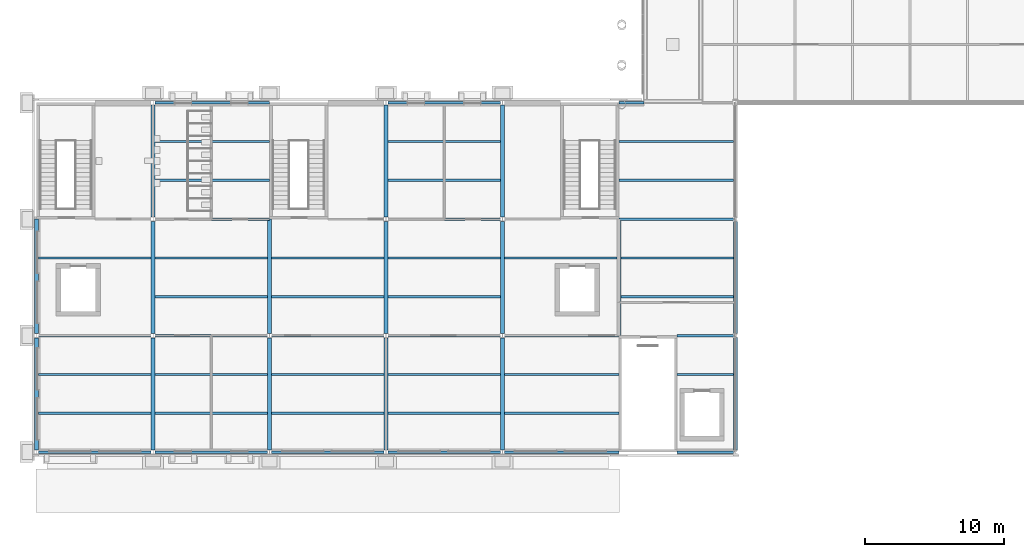
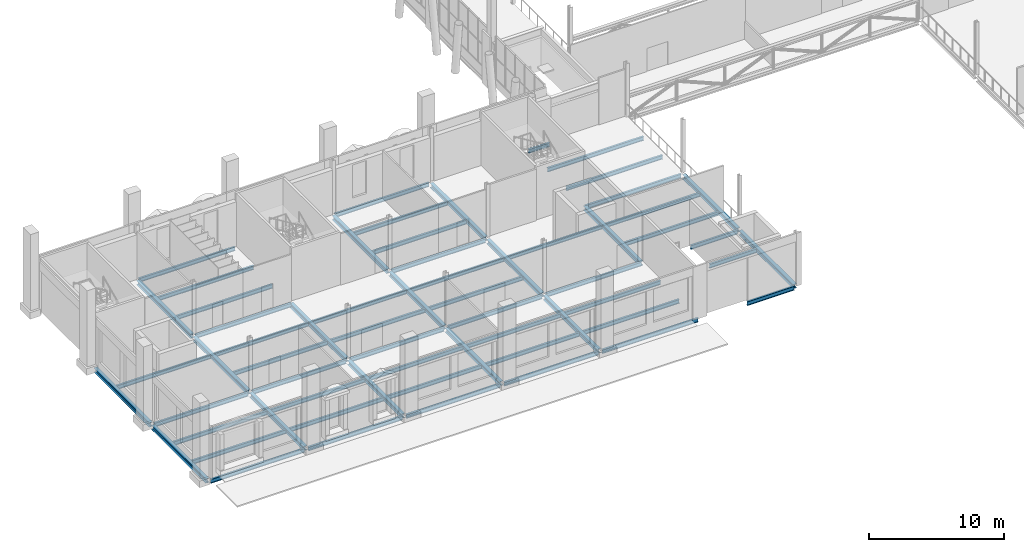
# One storey, part 11 of 76: 61 beams.
"""IFC4 building model written with IfcOpenShell, lengths in metres."""

from ifc_helpers import new_model, si_unit, direction, frame, origin, origin_2d, place, context, subcontext, project, spatial, i_section, extrude, material, material_profile, profile_set, type_object, element, save


model = new_model("IFC4")

# Units and contexts
model_context = context("Model", 3, precision=1e-05, world=origin(), true_north=direction((0.0, 1.0)))
body_context = subcontext(model_context, "Body", "Model", "MODEL_VIEW")
ifc_project = project(units=[si_unit("LENGTHUNIT", "METRE"), si_unit("AREAUNIT", "SQUARE_METRE"), si_unit("VOLUMEUNIT", "CUBIC_METRE"), si_unit("PLANEANGLEUNIT", "RADIAN"), si_unit("MASSUNIT", "GRAM", prefix="KILO")], contexts=[model_context])

# Site, building, storey
site_placement = place(None, origin())
site = spatial("IfcSite", under=ifc_project, at=site_placement, CompositionType="ELEMENT")
building_placement = place(site_placement, origin())
building = spatial("IfcBuilding", under=site, at=building_placement, Name="Sava Quay Ferry Terminal", CompositionType="ELEMENT")
storey_placement = place(building_placement, frame((0.0, 0.0, 6.0)))
storey = spatial("IfcBuildingStorey", under=building, at=storey_placement, Name="L01", CompositionType="ELEMENT", Elevation=6.0)

# Beams
ifc_material_1 = material(Name="Steel S355", Category="steel")
ifc_material_profile_1 = material_profile(ifc_material_1, i_section(OverallWidth=0.169921875, OverallDepth=0.360107421875, WebThickness=0.008056640625, FlangeThickness=0.0126953125, at=origin_2d()), Name="IPE 360")
ifc_profile_set_1 = profile_set([ifc_material_profile_1], Name="Steel S355")
beam_type_1 = type_object("IfcBeamType", Name="Beam IPE 360", PredefinedType="BEAM", material=ifc_profile_set_1)
for number, where, z_axis, x_axis, name in (
    (1, (46.199951171875, 25.199951171875, -0.31005859375), (1.0, 0.0, 0.0), (0.0, 1.0, 0.0), "Beam L01"),
    (2, (46.199951171875, 33.60009765625, -0.31005859375), (1.0, 0.0, 0.0), (0.0, 1.0, 0.0), "Beam L01"),
):
    element("IfcBeam", number, at=place(storey_placement, frame(where, z_axis=z_axis, x_axis=x_axis)), inside=storey, type_object=beam_type_1, Name=name, PredefinedType="BEAM", context=body_context, shape_type="SweptSolid", body=[
        extrude(i_section(OverallWidth=0.169921875, OverallDepth=0.360107421875, WebThickness=0.008056640625, FlangeThickness=0.0126953125, at=origin_2d()), origin(), (0.0, 0.0, 1.0), 4.050048828125),
    ])
beam_1_placement = place(storey_placement, frame((42.0, 42.0, -0.31005859375), z_axis=(1.0, 0.0, 0.0), x_axis=(0.0, 1.0, 0.0)))
element("IfcBeam", 3, at=beam_1_placement, inside=storey, type_object=beam_type_1, Name="Beam L01", PredefinedType="BEAM", context=body_context, shape_type="SweptSolid", body=[
    extrude(i_section(OverallWidth=0.169921875, OverallDepth=0.360107421875, WebThickness=0.008056640625, FlangeThickness=0.0126953125, at=origin_2d()), origin(), (0.0, 0.0, 1.0), 8.25),
])
beam_2_placement = place(storey_placement, frame((42.0, 50.39990234375, -0.31005859375), z_axis=(1.0, 0.0, 0.0), x_axis=(0.0, 1.0, 0.0)))
element("IfcBeam", 4, at=beam_2_placement, inside=storey, type_object=beam_type_1, Name="Beam L01", PredefinedType="BEAM", context=body_context, shape_type="SweptSolid", body=[
    extrude(i_section(OverallWidth=0.169921875, OverallDepth=0.360107421875, WebThickness=0.008056640625, FlangeThickness=0.0126953125, at=origin_2d()), origin(), (0.0, 0.0, 1.0), 1.800048828125),
])
beam_3_placement = place(storey_placement, frame((46.199951171875, 30.800048828125, -0.31005859375), z_axis=(1.0, 0.0, 0.0), x_axis=(0.0, 1.0, 0.0)))
element("IfcBeam", 5, at=beam_3_placement, inside=storey, type_object=beam_type_1, Name="Secondary beam L01", PredefinedType="BEAM", context=body_context, shape_type="SweptSolid", body=[
    extrude(i_section(OverallWidth=0.169921875, OverallDepth=0.360107421875, WebThickness=0.008056640625, FlangeThickness=0.0126953125, at=origin_2d()), origin(), (0.0, 0.0, 1.0), 4.050048828125),
])
for number, where, z_axis, x_axis, name in (
    (6, (42.14990234375, 36.39990234375, -0.31005859375), (1.0, 0.0, 0.0), (0.0, 1.0, 0.0), "Secondary beam L01"),
    (7, (42.14990234375, 39.199951171875, -0.31005859375), (1.0, 0.0, 0.0), (0.0, 1.0, 0.0), "Secondary beam L01"),
):
    element("IfcBeam", number, at=place(storey_placement, frame(where, z_axis=z_axis, x_axis=x_axis)), inside=storey, type_object=beam_type_1, Name=name, PredefinedType="BEAM", context=body_context, shape_type="SweptSolid", body=[
        extrude(i_section(OverallWidth=0.169921875, OverallDepth=0.360107421875, WebThickness=0.008056640625, FlangeThickness=0.0126953125, at=origin_2d()), origin(), (0.0, 0.0, 1.0), 8.10009765625),
    ])
for number, where, z_axis, x_axis, name in (
    (8, (42.0, 44.800048828125, -0.31005859375), (1.0, 0.0, 0.0), (0.0, 1.0, 0.0), "Secondary beam L01"),
    (9, (42.0, 47.60009765625, -0.31005859375), (1.0, 0.0, 0.0), (0.0, 1.0, 0.0), "Secondary beam L01"),
):
    element("IfcBeam", number, at=place(storey_placement, frame(where, z_axis=z_axis, x_axis=x_axis)), inside=storey, type_object=beam_type_1, Name=name, PredefinedType="BEAM", context=body_context, shape_type="SweptSolid", body=[
        extrude(i_section(OverallWidth=0.169921875, OverallDepth=0.360107421875, WebThickness=0.008056640625, FlangeThickness=0.0126953125, at=origin_2d()), origin(), (0.0, 0.0, 1.0), 8.25),
    ])
beam_4_placement = place(storey_placement, frame((0.14990234375, 25.199951171875, -0.31005859375), z_axis=(1.0, 0.0, 0.0), x_axis=(0.0, 1.0, 0.0)))
element("IfcBeam", 10, at=beam_4_placement, inside=storey, type_object=beam_type_1, Name="Beam L01", PredefinedType="BEAM", context=body_context, shape_type="SweptSolid", body=[
    extrude(i_section(OverallWidth=0.169921875, OverallDepth=0.360107421875, WebThickness=0.008056640625, FlangeThickness=0.0126953125, at=origin_2d()), origin(), (0.0, 0.0, 1.0), 8.10009765625),
])
beam_5_placement = place(storey_placement, frame((8.550048828125, 25.199951171875, -0.31005859375), z_axis=(1.0, 0.0, 0.0), x_axis=(0.0, 1.0, 0.0)))
element("IfcBeam", 11, at=beam_5_placement, inside=storey, type_object=beam_type_1, Name="Beam L01", PredefinedType="BEAM", context=body_context, shape_type="SweptSolid", body=[
    extrude(i_section(OverallWidth=0.169921875, OverallDepth=0.360107421875, WebThickness=0.008056640625, FlangeThickness=0.0126953125, at=origin_2d()), origin(), (0.0, 0.0, 1.0), 8.099853515625),
])
beam_6_placement = place(storey_placement, frame((16.949951171875, 25.199951171875, -0.31005859375), z_axis=(1.0, 0.0, 0.0), x_axis=(0.0, 1.0, 0.0)))
element("IfcBeam", 12, at=beam_6_placement, inside=storey, type_object=beam_type_1, Name="Beam L01", PredefinedType="BEAM", context=body_context, shape_type="SweptSolid", body=[
    extrude(i_section(OverallWidth=0.169921875, OverallDepth=0.360107421875, WebThickness=0.008056640625, FlangeThickness=0.0126953125, at=origin_2d()), origin(), (0.0, 0.0, 1.0), 8.10009765625),
])
beam_7_placement = place(storey_placement, frame((25.35009765625, 25.199951171875, -0.31005859375), z_axis=(1.0, 0.0, 0.0), x_axis=(0.0, 1.0, 0.0)))
element("IfcBeam", 13, at=beam_7_placement, inside=storey, type_object=beam_type_1, Name="Beam L01", PredefinedType="BEAM", context=body_context, shape_type="SweptSolid", body=[
    extrude(i_section(OverallWidth=0.169921875, OverallDepth=0.360107421875, WebThickness=0.008056640625, FlangeThickness=0.0126953125, at=origin_2d()), origin(), (0.0, 0.0, 1.0), 8.099853515625),
])
beam_8_placement = place(storey_placement, frame((33.75, 25.199951171875, -0.31005859375), z_axis=(1.0, 0.0, 0.0), x_axis=(0.0, 1.0, 0.0)))
element("IfcBeam", 14, at=beam_8_placement, inside=storey, type_object=beam_type_1, Name="Beam L01", PredefinedType="BEAM", context=body_context, shape_type="SweptSolid", body=[
    extrude(i_section(OverallWidth=0.169921875, OverallDepth=0.360107421875, WebThickness=0.008056640625, FlangeThickness=0.0126953125, at=origin_2d()), origin(), (0.0, 0.0, 1.0), 8.25),
])
beam_9_placement = place(storey_placement, frame((0.14990234375, 33.60009765625, -0.31005859375), z_axis=(1.0, 0.0, 0.0), x_axis=(0.0, 1.0, 0.0)))
element("IfcBeam", 15, at=beam_9_placement, inside=storey, type_object=beam_type_1, Name="Beam L01", PredefinedType="BEAM", context=body_context, shape_type="SweptSolid", body=[
    extrude(i_section(OverallWidth=0.169921875, OverallDepth=0.360107421875, WebThickness=0.008056640625, FlangeThickness=0.0126953125, at=origin_2d()), origin(), (0.0, 0.0, 1.0), 8.10009765625),
])
beam_10_placement = place(storey_placement, frame((8.550048828125, 33.60009765625, -0.31005859375), z_axis=(1.0, 0.0, 0.0), x_axis=(0.0, 1.0, 0.0)))
element("IfcBeam", 16, at=beam_10_placement, inside=storey, type_object=beam_type_1, Name="Beam L01", PredefinedType="BEAM", context=body_context, shape_type="SweptSolid", body=[
    extrude(i_section(OverallWidth=0.169921875, OverallDepth=0.360107421875, WebThickness=0.008056640625, FlangeThickness=0.0126953125, at=origin_2d()), origin(), (0.0, 0.0, 1.0), 8.099853515625),
])
beam_11_placement = place(storey_placement, frame((16.949951171875, 33.60009765625, -0.31005859375), z_axis=(1.0, 0.0, 0.0), x_axis=(0.0, 1.0, 0.0)))
element("IfcBeam", 17, at=beam_11_placement, inside=storey, type_object=beam_type_1, Name="Beam L01", PredefinedType="BEAM", context=body_context, shape_type="SweptSolid", body=[
    extrude(i_section(OverallWidth=0.169921875, OverallDepth=0.360107421875, WebThickness=0.008056640625, FlangeThickness=0.0126953125, at=origin_2d()), origin(), (0.0, 0.0, 1.0), 8.10009765625),
])
beam_12_placement = place(storey_placement, frame((25.35009765625, 33.60009765625, -0.31005859375), z_axis=(1.0, 0.0, 0.0), x_axis=(0.0, 1.0, 0.0)))
element("IfcBeam", 18, at=beam_12_placement, inside=storey, type_object=beam_type_1, Name="Beam L01", PredefinedType="BEAM", context=body_context, shape_type="SweptSolid", body=[
    extrude(i_section(OverallWidth=0.169921875, OverallDepth=0.360107421875, WebThickness=0.008056640625, FlangeThickness=0.0126953125, at=origin_2d()), origin(), (0.0, 0.0, 1.0), 8.099853515625),
])
for number, where, z_axis, x_axis, name in (
    (19, (33.75, 33.60009765625, -0.31005859375), (1.0, 0.0, 0.0), (0.0, 1.0, 0.0), "Beam L01"),
    (20, (8.550048828125, 42.0, -0.31005859375), (1.0, 0.0, 0.0), (0.0, 1.0, 0.0), "Beam L01"),
):
    element("IfcBeam", number, at=place(storey_placement, frame(where, z_axis=z_axis, x_axis=x_axis)), inside=storey, type_object=beam_type_1, Name=name, PredefinedType="BEAM", context=body_context, shape_type="SweptSolid", body=[
        extrude(i_section(OverallWidth=0.169921875, OverallDepth=0.360107421875, WebThickness=0.008056640625, FlangeThickness=0.0126953125, at=origin_2d()), origin(), (0.0, 0.0, 1.0), 8.25),
    ])
beam_13_placement = place(storey_placement, frame((25.35009765625, 42.0, -0.31005859375), z_axis=(1.0, 0.0, 0.0), x_axis=(0.0, 1.0, 0.0)))
element("IfcBeam", 21, at=beam_13_placement, inside=storey, type_object=beam_type_1, Name="Beam L01", PredefinedType="BEAM", context=body_context, shape_type="SweptSolid", body=[
    extrude(i_section(OverallWidth=0.169921875, OverallDepth=0.360107421875, WebThickness=0.008056640625, FlangeThickness=0.0126953125, at=origin_2d()), origin(), (0.0, 0.0, 1.0), 8.099853515625),
])
beam_14_placement = place(storey_placement, frame((8.550048828125, 50.39990234375, -0.31005859375), z_axis=(1.0, 0.0, 0.0), x_axis=(0.0, 1.0, 0.0)))
element("IfcBeam", 22, at=beam_14_placement, inside=storey, type_object=beam_type_1, Name="Beam L01", PredefinedType="BEAM", context=body_context, shape_type="SweptSolid", body=[
    extrude(i_section(OverallWidth=0.169921875, OverallDepth=0.360107421875, WebThickness=0.008056640625, FlangeThickness=0.0126953125, at=origin_2d()), origin(), (0.0, 0.0, 1.0), 8.25),
])
beam_15_placement = place(storey_placement, frame((25.35009765625, 50.39990234375, -0.31005859375), z_axis=(1.0, 0.0, 0.0), x_axis=(0.0, 1.0, 0.0)))
element("IfcBeam", 23, at=beam_15_placement, inside=storey, type_object=beam_type_1, Name="Beam L01", PredefinedType="BEAM", context=body_context, shape_type="SweptSolid", body=[
    extrude(i_section(OverallWidth=0.169921875, OverallDepth=0.360107421875, WebThickness=0.008056640625, FlangeThickness=0.0126953125, at=origin_2d()), origin(), (0.0, 0.0, 1.0), 8.099853515625),
])
for number, where, z_axis, x_axis, name in (
    (24, (0.14990234375, 28.0, -0.31005859375), (1.0, 0.0, 0.0), (0.0, 1.0, 0.0), "Secondary beam L01"),
    (25, (0.14990234375, 30.800048828125, -0.31005859375), (1.0, 0.0, 0.0), (0.0, 1.0, 0.0), "Secondary beam L01"),
):
    element("IfcBeam", number, at=place(storey_placement, frame(where, z_axis=z_axis, x_axis=x_axis)), inside=storey, type_object=beam_type_1, Name=name, PredefinedType="BEAM", context=body_context, shape_type="SweptSolid", body=[
        extrude(i_section(OverallWidth=0.169921875, OverallDepth=0.360107421875, WebThickness=0.008056640625, FlangeThickness=0.0126953125, at=origin_2d()), origin(), (0.0, 0.0, 1.0), 8.10009765625),
    ])
for number, where, z_axis, x_axis, name in (
    (26, (8.550048828125, 28.0, -0.31005859375), (1.0, 0.0, 0.0), (0.0, 1.0, 0.0), "Secondary beam L01"),
    (27, (8.550048828125, 30.800048828125, -0.31005859375), (1.0, 0.0, 0.0), (0.0, 1.0, 0.0), "Secondary beam L01"),
):
    element("IfcBeam", number, at=place(storey_placement, frame(where, z_axis=z_axis, x_axis=x_axis)), inside=storey, type_object=beam_type_1, Name=name, PredefinedType="BEAM", context=body_context, shape_type="SweptSolid", body=[
        extrude(i_section(OverallWidth=0.169921875, OverallDepth=0.360107421875, WebThickness=0.008056640625, FlangeThickness=0.0126953125, at=origin_2d()), origin(), (0.0, 0.0, 1.0), 8.099853515625),
    ])
for number, where, z_axis, x_axis, name in (
    (28, (16.949951171875, 28.0, -0.31005859375), (1.0, 0.0, 0.0), (0.0, 1.0, 0.0), "Secondary beam L01"),
    (29, (16.949951171875, 30.800048828125, -0.31005859375), (1.0, 0.0, 0.0), (0.0, 1.0, 0.0), "Secondary beam L01"),
):
    element("IfcBeam", number, at=place(storey_placement, frame(where, z_axis=z_axis, x_axis=x_axis)), inside=storey, type_object=beam_type_1, Name=name, PredefinedType="BEAM", context=body_context, shape_type="SweptSolid", body=[
        extrude(i_section(OverallWidth=0.169921875, OverallDepth=0.360107421875, WebThickness=0.008056640625, FlangeThickness=0.0126953125, at=origin_2d()), origin(), (0.0, 0.0, 1.0), 8.10009765625),
    ])
for number, where, z_axis, x_axis, name in (
    (30, (25.35009765625, 28.0, -0.31005859375), (1.0, 0.0, 0.0), (0.0, 1.0, 0.0), "Secondary beam L01"),
    (31, (25.35009765625, 30.800048828125, -0.31005859375), (1.0, 0.0, 0.0), (0.0, 1.0, 0.0), "Secondary beam L01"),
):
    element("IfcBeam", number, at=place(storey_placement, frame(where, z_axis=z_axis, x_axis=x_axis)), inside=storey, type_object=beam_type_1, Name=name, PredefinedType="BEAM", context=body_context, shape_type="SweptSolid", body=[
        extrude(i_section(OverallWidth=0.169921875, OverallDepth=0.360107421875, WebThickness=0.008056640625, FlangeThickness=0.0126953125, at=origin_2d()), origin(), (0.0, 0.0, 1.0), 8.099853515625),
    ])
for number, where, z_axis, x_axis, name in (
    (32, (33.75, 28.0, -0.31005859375), (1.0, 0.0, 0.0), (0.0, 1.0, 0.0), "Secondary beam L01"),
    (33, (33.75, 30.800048828125, -0.31005859375), (1.0, 0.0, 0.0), (0.0, 1.0, 0.0), "Secondary beam L01"),
):
    element("IfcBeam", number, at=place(storey_placement, frame(where, z_axis=z_axis, x_axis=x_axis)), inside=storey, type_object=beam_type_1, Name=name, PredefinedType="BEAM", context=body_context, shape_type="SweptSolid", body=[
        extrude(i_section(OverallWidth=0.169921875, OverallDepth=0.360107421875, WebThickness=0.008056640625, FlangeThickness=0.0126953125, at=origin_2d()), origin(), (0.0, 0.0, 1.0), 8.25),
    ])
beam_16_placement = place(storey_placement, frame((0.14990234375, 39.199951171875, -0.31005859375), z_axis=(1.0, 0.0, 0.0), x_axis=(0.0, 1.0, 0.0)))
element("IfcBeam", 34, at=beam_16_placement, inside=storey, type_object=beam_type_1, Name="Secondary beam L01", PredefinedType="BEAM", context=body_context, shape_type="SweptSolid", body=[
    extrude(i_section(OverallWidth=0.169921875, OverallDepth=0.360107421875, WebThickness=0.008056640625, FlangeThickness=0.0126953125, at=origin_2d()), origin(), (0.0, 0.0, 1.0), 8.10009765625),
])
for number, where, z_axis, x_axis, name in (
    (35, (8.550048828125, 36.39990234375, -0.31005859375), (1.0, 0.0, 0.0), (0.0, 1.0, 0.0), "Secondary beam L01"),
    (36, (8.550048828125, 39.199951171875, -0.31005859375), (1.0, 0.0, 0.0), (0.0, 1.0, 0.0), "Secondary beam L01"),
):
    element("IfcBeam", number, at=place(storey_placement, frame(where, z_axis=z_axis, x_axis=x_axis)), inside=storey, type_object=beam_type_1, Name=name, PredefinedType="BEAM", context=body_context, shape_type="SweptSolid", body=[
        extrude(i_section(OverallWidth=0.169921875, OverallDepth=0.360107421875, WebThickness=0.008056640625, FlangeThickness=0.0126953125, at=origin_2d()), origin(), (0.0, 0.0, 1.0), 8.099853515625),
    ])
for number, where, z_axis, x_axis, name in (
    (37, (16.949951171875, 36.39990234375, -0.31005859375), (1.0, 0.0, 0.0), (0.0, 1.0, 0.0), "Secondary beam L01"),
    (38, (16.949951171875, 39.199951171875, -0.31005859375), (1.0, 0.0, 0.0), (0.0, 1.0, 0.0), "Secondary beam L01"),
):
    element("IfcBeam", number, at=place(storey_placement, frame(where, z_axis=z_axis, x_axis=x_axis)), inside=storey, type_object=beam_type_1, Name=name, PredefinedType="BEAM", context=body_context, shape_type="SweptSolid", body=[
        extrude(i_section(OverallWidth=0.169921875, OverallDepth=0.360107421875, WebThickness=0.008056640625, FlangeThickness=0.0126953125, at=origin_2d()), origin(), (0.0, 0.0, 1.0), 8.10009765625),
    ])
for number, where, z_axis, x_axis, name in (
    (39, (25.35009765625, 36.39990234375, -0.31005859375), (1.0, 0.0, 0.0), (0.0, 1.0, 0.0), "Secondary beam L01"),
    (40, (25.35009765625, 39.199951171875, -0.31005859375), (1.0, 0.0, 0.0), (0.0, 1.0, 0.0), "Secondary beam L01"),
):
    element("IfcBeam", number, at=place(storey_placement, frame(where, z_axis=z_axis, x_axis=x_axis)), inside=storey, type_object=beam_type_1, Name=name, PredefinedType="BEAM", context=body_context, shape_type="SweptSolid", body=[
        extrude(i_section(OverallWidth=0.169921875, OverallDepth=0.360107421875, WebThickness=0.008056640625, FlangeThickness=0.0126953125, at=origin_2d()), origin(), (0.0, 0.0, 1.0), 8.099853515625),
    ])
beam_17_placement = place(storey_placement, frame((33.75, 39.199951171875, -0.31005859375), z_axis=(1.0, 0.0, 0.0), x_axis=(0.0, 1.0, 0.0)))
element("IfcBeam", 41, at=beam_17_placement, inside=storey, type_object=beam_type_1, Name="Secondary beam L01", PredefinedType="BEAM", context=body_context, shape_type="SweptSolid", body=[
    extrude(i_section(OverallWidth=0.169921875, OverallDepth=0.360107421875, WebThickness=0.008056640625, FlangeThickness=0.0126953125, at=origin_2d()), origin(), (0.0, 0.0, 1.0), 8.10009765625),
])
for number, where, z_axis, x_axis, name in (
    (42, (8.550048828125, 44.800048828125, -0.31005859375), (1.0, 0.0, 0.0), (0.0, 1.0, 0.0), "Secondary beam L01"),
    (43, (8.550048828125, 47.60009765625, -0.31005859375), (1.0, 0.0, 0.0), (0.0, 1.0, 0.0), "Secondary beam L01"),
):
    element("IfcBeam", number, at=place(storey_placement, frame(where, z_axis=z_axis, x_axis=x_axis)), inside=storey, type_object=beam_type_1, Name=name, PredefinedType="BEAM", context=body_context, shape_type="SweptSolid", body=[
        extrude(i_section(OverallWidth=0.169921875, OverallDepth=0.360107421875, WebThickness=0.008056640625, FlangeThickness=0.0126953125, at=origin_2d()), origin(), (0.0, 0.0, 1.0), 8.25),
    ])
for number, where, z_axis, x_axis, name in (
    (44, (25.35009765625, 44.800048828125, -0.31005859375), (1.0, 0.0, 0.0), (0.0, 1.0, 0.0), "Secondary beam L01"),
    (45, (25.35009765625, 47.60009765625, -0.31005859375), (1.0, 0.0, 0.0), (0.0, 1.0, 0.0), "Secondary beam L01"),
):
    element("IfcBeam", number, at=place(storey_placement, frame(where, z_axis=z_axis, x_axis=x_axis)), inside=storey, type_object=beam_type_1, Name=name, PredefinedType="BEAM", context=body_context, shape_type="SweptSolid", body=[
        extrude(i_section(OverallWidth=0.169921875, OverallDepth=0.360107421875, WebThickness=0.008056640625, FlangeThickness=0.0126953125, at=origin_2d()), origin(), (0.0, 0.0, 1.0), 8.099853515625),
    ])
ifc_material_2 = material(Name="Steel S355", Category="steel")
ifc_material_profile_2 = material_profile(ifc_material_2, i_section(OverallWidth=0.300048828125, OverallDepth=0.389892578125, WebThickness=0.010986328125, FlangeThickness=0.01904296875, at=origin_2d()), Name="HE 400 A")
ifc_profile_set_2 = profile_set([ifc_material_profile_2], Name="Steel S355")
beam_type_2 = type_object("IfcBeamType", Name="Girder HE 400 A", PredefinedType="BEAM", material=ifc_profile_set_2)
beam_18_placement = place(storey_placement, frame((42.0, 33.60009765625, -0.324951171875), z_axis=(0.0, 1.0, 0.0), x_axis=(-1.0, 0.0, 0.0)))
element("IfcBeam", 46, at=beam_18_placement, inside=storey, type_object=beam_type_2, Name="Girder L01", PredefinedType="BEAM", context=body_context, shape_type="SweptSolid", body=[
    extrude(i_section(OverallWidth=0.300048828125, OverallDepth=0.389892578125, WebThickness=0.010986328125, FlangeThickness=0.01904296875, at=origin_2d()), origin(), (0.0, 0.0, 1.0), 8.39990234375),
])
beam_19_placement = place(storey_placement, frame((50.39990234375, 25.35009765625, -0.324951171875), z_axis=(0.0, 1.0, 0.0), x_axis=(-1.0, 0.0, 0.0)))
element("IfcBeam", 47, at=beam_19_placement, inside=storey, type_object=beam_type_2, Name="Girder L01", PredefinedType="BEAM", context=body_context, shape_type="SweptSolid", body=[
    extrude(i_section(OverallWidth=0.300048828125, OverallDepth=0.389892578125, WebThickness=0.010986328125, FlangeThickness=0.01904296875, at=origin_2d()), origin(), (0.0, 0.0, 1.0), 8.099853515625),
])
beam_20_placement = place(storey_placement, frame((50.39990234375, 33.75, -0.324951171875), z_axis=(0.0, 1.0, 0.0), x_axis=(-1.0, 0.0, 0.0)))
element("IfcBeam", 48, at=beam_20_placement, inside=storey, type_object=beam_type_2, Name="Girder L01", PredefinedType="BEAM", context=body_context, shape_type="SweptSolid", body=[
    extrude(i_section(OverallWidth=0.300048828125, OverallDepth=0.389892578125, WebThickness=0.010986328125, FlangeThickness=0.01904296875, at=origin_2d()), origin(), (0.0, 0.0, 1.0), 8.10009765625),
])
beam_21_placement = place(storey_placement, frame((0.0, 25.360107421875, -0.324951171875), z_axis=(0.0, 1.0, 0.0), x_axis=(-1.0, 0.0, 0.0)))
element("IfcBeam", 49, at=beam_21_placement, inside=storey, type_object=beam_type_2, Name="Girder L01", PredefinedType="BEAM", context=body_context, shape_type="SweptSolid", body=[
    extrude(i_section(OverallWidth=0.300048828125, OverallDepth=0.389892578125, WebThickness=0.010986328125, FlangeThickness=0.01904296875, at=origin_2d()), origin(), (0.0, 0.0, 1.0), 8.079833984375),
])
beam_22_placement = place(storey_placement, frame((0.0, 33.760009765625, -0.324951171875), z_axis=(0.0, 1.0, 0.0), x_axis=(-1.0, 0.0, 0.0)))
element("IfcBeam", 50, at=beam_22_placement, inside=storey, type_object=beam_type_2, Name="Girder L01", PredefinedType="BEAM", context=body_context, shape_type="SweptSolid", body=[
    extrude(i_section(OverallWidth=0.300048828125, OverallDepth=0.389892578125, WebThickness=0.010986328125, FlangeThickness=0.01904296875, at=origin_2d()), origin(), (0.0, 0.0, 1.0), 8.239990234375),
])
beam_23_placement = place(storey_placement, frame((8.39990234375, 25.360107421875, -0.324951171875), z_axis=(0.0, 1.0, 0.0), x_axis=(-1.0, 0.0, 0.0)))
element("IfcBeam", 51, at=beam_23_placement, inside=storey, type_object=beam_type_2, Name="Girder L01", PredefinedType="BEAM", context=body_context, shape_type="SweptSolid", body=[
    extrude(i_section(OverallWidth=0.300048828125, OverallDepth=0.389892578125, WebThickness=0.010986328125, FlangeThickness=0.01904296875, at=origin_2d()), origin(), (0.0, 0.0, 1.0), 8.079833984375),
])
for number, where, z_axis, x_axis, name in (
    (52, (8.39990234375, 33.760009765625, -0.324951171875), (0.0, 1.0, 0.0), (-1.0, 0.0, 0.0), "Girder L01"),
    (53, (8.39990234375, 42.159912109375, -0.324951171875), (0.0, 1.0, 0.0), (-1.0, 0.0, 0.0), "Girder L01"),
):
    element("IfcBeam", number, at=place(storey_placement, frame(where, z_axis=z_axis, x_axis=x_axis)), inside=storey, type_object=beam_type_2, Name=name, PredefinedType="BEAM", context=body_context, shape_type="SweptSolid", body=[
        extrude(i_section(OverallWidth=0.300048828125, OverallDepth=0.389892578125, WebThickness=0.010986328125, FlangeThickness=0.01904296875, at=origin_2d()), origin(), (0.0, 0.0, 1.0), 8.080078125),
    ])
beam_24_placement = place(storey_placement, frame((16.800048828125, 25.360107421875, -0.324951171875), z_axis=(0.0, 1.0, 0.0), x_axis=(-1.0, 0.0, 0.0)))
element("IfcBeam", 54, at=beam_24_placement, inside=storey, type_object=beam_type_2, Name="Girder L01", PredefinedType="BEAM", context=body_context, shape_type="SweptSolid", body=[
    extrude(i_section(OverallWidth=0.300048828125, OverallDepth=0.389892578125, WebThickness=0.010986328125, FlangeThickness=0.01904296875, at=origin_2d()), origin(), (0.0, 0.0, 1.0), 8.079833984375),
])
beam_25_placement = place(storey_placement, frame((16.800048828125, 33.760009765625, -0.324951171875), z_axis=(0.0, 1.0, 0.0), x_axis=(-1.0, 0.0, 0.0)))
element("IfcBeam", 55, at=beam_25_placement, inside=storey, type_object=beam_type_2, Name="Girder L01", PredefinedType="BEAM", context=body_context, shape_type="SweptSolid", body=[
    extrude(i_section(OverallWidth=0.300048828125, OverallDepth=0.389892578125, WebThickness=0.010986328125, FlangeThickness=0.01904296875, at=origin_2d()), origin(), (0.0, 0.0, 1.0), 8.239990234375),
])
beam_26_placement = place(storey_placement, frame((25.199951171875, 25.360107421875, -0.324951171875), z_axis=(0.0, 1.0, 0.0), x_axis=(-1.0, 0.0, 0.0)))
element("IfcBeam", 56, at=beam_26_placement, inside=storey, type_object=beam_type_2, Name="Girder L01", PredefinedType="BEAM", context=body_context, shape_type="SweptSolid", body=[
    extrude(i_section(OverallWidth=0.300048828125, OverallDepth=0.389892578125, WebThickness=0.010986328125, FlangeThickness=0.01904296875, at=origin_2d()), origin(), (0.0, 0.0, 1.0), 8.079833984375),
])
for number, where, z_axis, x_axis, name in (
    (57, (25.199951171875, 33.760009765625, -0.324951171875), (0.0, 1.0, 0.0), (-1.0, 0.0, 0.0), "Girder L01"),
    (58, (25.199951171875, 42.159912109375, -0.324951171875), (0.0, 1.0, 0.0), (-1.0, 0.0, 0.0), "Girder L01"),
):
    element("IfcBeam", number, at=place(storey_placement, frame(where, z_axis=z_axis, x_axis=x_axis)), inside=storey, type_object=beam_type_2, Name=name, PredefinedType="BEAM", context=body_context, shape_type="SweptSolid", body=[
        extrude(i_section(OverallWidth=0.300048828125, OverallDepth=0.389892578125, WebThickness=0.010986328125, FlangeThickness=0.01904296875, at=origin_2d()), origin(), (0.0, 0.0, 1.0), 8.080078125),
    ])
beam_27_placement = place(storey_placement, frame((33.60009765625, 25.360107421875, -0.324951171875), z_axis=(0.0, 1.0, 0.0), x_axis=(-1.0, 0.0, 0.0)))
element("IfcBeam", 59, at=beam_27_placement, inside=storey, type_object=beam_type_2, Name="Girder L01", PredefinedType="BEAM", context=body_context, shape_type="SweptSolid", body=[
    extrude(i_section(OverallWidth=0.300048828125, OverallDepth=0.389892578125, WebThickness=0.010986328125, FlangeThickness=0.01904296875, at=origin_2d()), origin(), (0.0, 0.0, 1.0), 8.079833984375),
])
for number, where, z_axis, x_axis, name in (
    (60, (33.60009765625, 33.760009765625, -0.324951171875), (0.0, 1.0, 0.0), (-1.0, 0.0, 0.0), "Girder L01"),
    (61, (33.60009765625, 42.159912109375, -0.324951171875), (0.0, 1.0, 0.0), (-1.0, 0.0, 0.0), "Girder L01"),
):
    element("IfcBeam", number, at=place(storey_placement, frame(where, z_axis=z_axis, x_axis=x_axis)), inside=storey, type_object=beam_type_2, Name=name, PredefinedType="BEAM", context=body_context, shape_type="SweptSolid", body=[
        extrude(i_section(OverallWidth=0.300048828125, OverallDepth=0.389892578125, WebThickness=0.010986328125, FlangeThickness=0.01904296875, at=origin_2d()), origin(), (0.0, 0.0, 1.0), 8.080078125),
    ])

save(model, "model.ifc")
